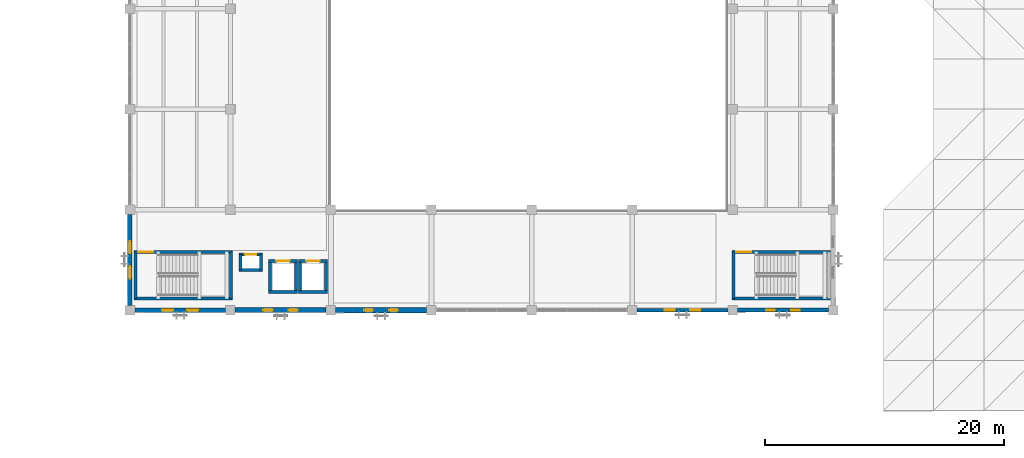
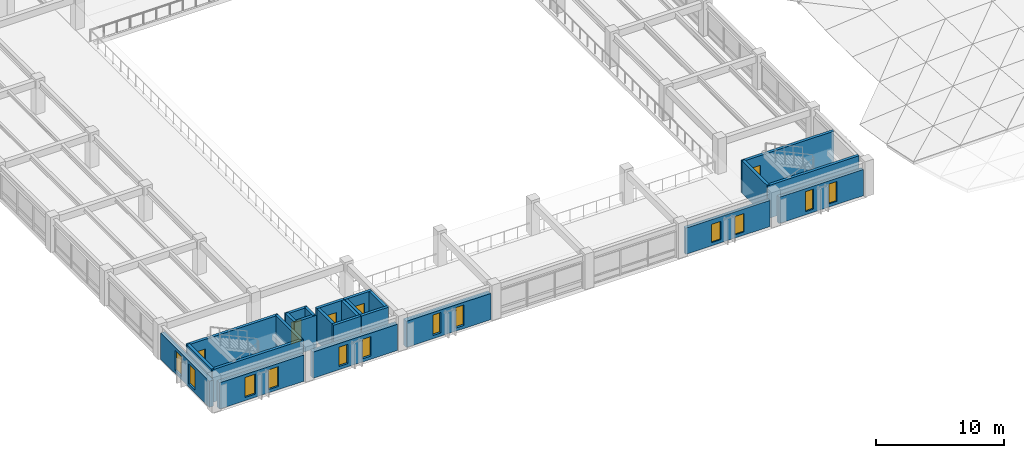
# One storey, part 81 of 123: 25 walls, 12 windows, 5 doors, 17 openings.
"""IFC4 building model written with IfcOpenShell, lengths in metres."""

from ifc_helpers import new_model, si_unit, direction, frame, frame_2d, origin, place, context, subcontext, project, spatial, rectangle, extrude, material, layer, layer_set, type_object, element, fill, save


model = new_model("IFC4")

# Units and contexts
model_context = context("Model", 3, precision=1e-05, world=origin(), true_north=direction((0.0, 1.0)))
body_context = subcontext(model_context, "Body", "Model", "MODEL_VIEW")
ifc_project = project(units=[si_unit("LENGTHUNIT", "METRE"), si_unit("AREAUNIT", "SQUARE_METRE"), si_unit("VOLUMEUNIT", "CUBIC_METRE"), si_unit("PLANEANGLEUNIT", "RADIAN"), si_unit("MASSUNIT", "GRAM", prefix="KILO")], contexts=[model_context])

# Site, building, storey
site_placement = place(None, origin())
site = spatial("IfcSite", under=ifc_project, at=site_placement, CompositionType="ELEMENT")
building_placement = place(site_placement, origin())
building = spatial("IfcBuilding", under=site, at=building_placement, Name="Cumbredor Promenade Congress Hotel", CompositionType="ELEMENT")
storey_placement = place(building_placement, frame((0.0, 0.0, 11.760009765625)))
storey = spatial("IfcBuildingStorey", under=building, at=storey_placement, Name="L03", CompositionType="ELEMENT", Elevation=11.760009765625)

# Wall, openings, windows
ifc_material_1 = material(Name="Concrete C40/50", Category="concrete")
ifc_layer_1 = layer(ifc_material_1, 0.300048828125, Name="Concrete C40/50", Category="concrete")
ifc_layer_set_1 = layer_set([ifc_layer_1], Name="Concrete C40/50")
wall_type_1 = type_object("IfcWallType", Name="WL-EXT-300", PredefinedType="SOLIDWALL", material=ifc_layer_set_1)
wall_1_placement = place(storey_placement, frame((50.801025390625, 8.39990234375, 0.0), z_axis=(0.0, 0.0, 1.0), x_axis=(1.0, 0.0, 0.0)))
wall_1 = element("IfcWall", 1, at=wall_1_placement, inside=storey, type_object=wall_type_1, Name="L03 Plenary Congress Hall South Envelope Wall 6", PredefinedType="SOLIDWALL", context=body_context, shape_type="SweptSolid", body=[
    extrude(rectangle(XDim=7.597900390625, YDim=0.300048828125, at=frame_2d((3.798828125, 0.0))), origin(), (0.0, 0.0, 1.0), 2.493896484375),
])
opening_1_placement = place(wall_1_placement, frame((2.3291015625, 0.0, 0.300048828125)))
opening_1 = element("IfcOpeningElement", 2, at=opening_1_placement, cuts=wall_1, Name="Opening WN-62", PredefinedType="OPENING", context=body_context, shape_type="SweptSolid", body=[
    extrude(rectangle(XDim=0.840087890625, YDim=1.75, at=frame_2d((0.419921875, 0.875))), frame((0.0, 0.16015625, 0.0), z_axis=(0.0, -1.0, 0.0), x_axis=(1.0, 0.0, 0.0)), (0.0, 0.0, 1.0), 0.320068359375),
])
opening_2_placement = place(wall_1_placement, frame((4.428955078125, 0.0, 0.300048828125)))
opening_2 = element("IfcOpeningElement", 3, at=opening_2_placement, cuts=wall_1, Name="Opening WN-62", PredefinedType="OPENING", context=body_context, shape_type="SweptSolid", body=[
    extrude(rectangle(XDim=0.840087890625, YDim=1.75, at=frame_2d((0.419921875, 0.875))), frame((0.0, 0.16015625, 0.0), z_axis=(0.0, -1.0, 0.0), x_axis=(1.0, 0.0, 0.0)), (0.0, 0.0, 1.0), 0.320068359375),
])
ifc_material_2 = material(Name="Thermally broken anodized aluminium and low-E glass", Category="aluminium")
window_type_1 = type_object("IfcWindowType", Name="Vertical Slot Window WN-62 840x1750", PartitioningType="SINGLE_PANEL", PredefinedType="WINDOW", material=ifc_material_2)
window_1_placement = place(opening_1_placement, origin())
window_1 = element("IfcWindow", 4, at=window_1_placement, inside=storey, type_object=window_type_1, Name="L03 Vertical Slot Window 0342", OverallHeight=1.75, OverallWidth=0.840087890625, PartitioningType="SINGLE_PANEL", PredefinedType="WINDOW", context=body_context, shape_type="SweptSolid", body=[
    extrude(rectangle(XDim=0.840087890625, YDim=1.75, at=frame_2d((0.419921875, 0.875))), frame((0.0, 0.030029296875, 0.0), z_axis=(0.0, -1.0, 0.0), x_axis=(1.0, 0.0, 0.0)), (0.0, 0.0, 1.0), 0.06005859375),
])
fill(opening_1, window_1)
window_2_placement = place(opening_2_placement, origin())
window_2 = element("IfcWindow", 5, at=window_2_placement, inside=storey, type_object=window_type_1, Name="L03 Vertical Slot Window 0343", OverallHeight=1.75, OverallWidth=0.840087890625, PartitioningType="SINGLE_PANEL", PredefinedType="WINDOW", context=body_context, shape_type="SweptSolid", body=[
    extrude(rectangle(XDim=0.840087890625, YDim=1.75, at=frame_2d((0.419921875, 0.875))), frame((0.0, 0.030029296875, 0.0), z_axis=(0.0, -1.0, 0.0), x_axis=(1.0, 0.0, 0.0)), (0.0, 0.0, 1.0), 0.06005859375),
])
fill(opening_2, window_2)

ifc_layer_2 = layer(ifc_material_1, 0.324951171875, Name="Concrete C40/50", Category="concrete")
ifc_layer_set_2 = layer_set([ifc_layer_2], Name="Concrete C40/50")
wall_type_2 = type_object("IfcWallType", Name="WL-EXT-325", PredefinedType="SOLIDWALL", material=ifc_layer_set_2)
wall_2_placement = place(storey_placement, frame((59.200927734375, 8.39990234375, 0.0), z_axis=(0.0, 0.0, 1.0), x_axis=(1.0, 0.0, 0.0)))
wall_2 = element("IfcWall", 6, at=wall_2_placement, inside=storey, type_object=wall_type_2, Name="L03 Plenary Congress Hall South Envelope Wall 7", PredefinedType="SOLIDWALL", context=body_context, shape_type="SweptSolid", body=[
    extrude(rectangle(XDim=7.59814453125, YDim=0.324951171875, at=frame_2d((3.799072265625, 0.0))), origin(), (0.0, 0.0, 1.0), 2.493896484375),
])
opening_3_placement = place(wall_2_placement, frame((2.39892578125, 0.0, 0.300048828125)))
opening_3 = element("IfcOpeningElement", 7, at=opening_3_placement, cuts=wall_2, Name="Opening WN-65", PredefinedType="OPENING", context=body_context, shape_type="SweptSolid", body=[
    extrude(rectangle(XDim=0.699951171875, YDim=1.89990234375, at=frame_2d((0.35009765625, 0.949951171875))), frame((0.0, 0.17236328125, 0.0), z_axis=(0.0, -1.0, 0.0), x_axis=(1.0, 0.0, 0.0)), (0.0, 0.0, 1.0), 0.344970703125),
])
opening_4_placement = place(wall_2_placement, frame((4.4990234375, 0.0, 0.300048828125)))
opening_4 = element("IfcOpeningElement", 8, at=opening_4_placement, cuts=wall_2, Name="Opening WN-65", PredefinedType="OPENING", context=body_context, shape_type="SweptSolid", body=[
    extrude(rectangle(XDim=0.699951171875, YDim=1.89990234375, at=frame_2d((0.35009765625, 0.949951171875))), frame((0.0, 0.17236328125, 0.0), z_axis=(0.0, -1.0, 0.0), x_axis=(1.0, 0.0, 0.0)), (0.0, 0.0, 1.0), 0.344970703125),
])
window_type_2 = type_object("IfcWindowType", Name="Vertical Slot Window WN-65 700x1900", PartitioningType="SINGLE_PANEL", PredefinedType="WINDOW", material=ifc_material_2)
window_3_placement = place(opening_3_placement, origin())
window_3 = element("IfcWindow", 9, at=window_3_placement, inside=storey, type_object=window_type_2, Name="L03 Vertical Slot Window 0344", OverallHeight=1.89990234375, OverallWidth=0.699951171875, PartitioningType="SINGLE_PANEL", PredefinedType="WINDOW", context=body_context, shape_type="SweptSolid", body=[
    extrude(rectangle(XDim=0.699951171875, YDim=1.89990234375, at=frame_2d((0.35009765625, 0.949951171875))), frame((0.0, 0.030029296875, 0.0), z_axis=(0.0, -1.0, 0.0), x_axis=(1.0, 0.0, 0.0)), (0.0, 0.0, 1.0), 0.06005859375),
])
fill(opening_3, window_3)
window_4_placement = place(opening_4_placement, origin())
window_4 = element("IfcWindow", 10, at=window_4_placement, inside=storey, type_object=window_type_2, Name="L03 Vertical Slot Window 0345", OverallHeight=1.89990234375, OverallWidth=0.699951171875, PartitioningType="SINGLE_PANEL", PredefinedType="WINDOW", context=body_context, shape_type="SweptSolid", body=[
    extrude(rectangle(XDim=0.699951171875, YDim=1.89990234375, at=frame_2d((0.35009765625, 0.949951171875))), frame((0.0, 0.030029296875, 0.0), z_axis=(0.0, -1.0, 0.0), x_axis=(1.0, 0.0, 0.0)), (0.0, 0.0, 1.0), 0.06005859375),
])
fill(opening_4, window_4)

ifc_layer_3 = layer(ifc_material_1, 0.3798828125, Name="Concrete C40/50", Category="concrete")
ifc_layer_set_3 = layer_set([ifc_layer_3], Name="Concrete C40/50")
wall_type_3 = type_object("IfcWallType", Name="WL-EXT-380", PredefinedType="SOLIDWALL", material=ifc_layer_set_3)
wall_3_placement = place(storey_placement, frame((8.801025390625, 8.39990234375, 0.0), z_axis=(0.0, 0.0, 1.0), x_axis=(1.0, 0.0, 0.0)))
wall_3 = element("IfcWall", 11, at=wall_3_placement, inside=storey, type_object=wall_type_3, Name="L03 Plenary Congress Hall South Envelope Wall 1", PredefinedType="SOLIDWALL", context=body_context, shape_type="SweptSolid", body=[
    extrude(rectangle(XDim=7.597900390625, YDim=0.3798828125, at=frame_2d((3.798828125, 0.0))), origin(), (0.0, 0.0, 1.0), 2.493896484375),
])
opening_5_placement = place(wall_3_placement, frame((2.283935546875, 0.0, 0.300048828125)))
opening_5 = element("IfcOpeningElement", 12, at=opening_5_placement, cuts=wall_3, Name="Opening WN-68", PredefinedType="OPENING", context=body_context, shape_type="SweptSolid", body=[
    extrude(rectangle(XDim=0.929931640625, YDim=1.89990234375, at=frame_2d((0.46484375, 0.949951171875))), frame((0.0, 0.199951171875, 0.0), z_axis=(0.0, -1.0, 0.0), x_axis=(1.0, 0.0, 0.0)), (0.0, 0.0, 1.0), 0.39990234375),
])
opening_6_placement = place(wall_3_placement, frame((4.384033203125, 0.0, 0.300048828125)))
opening_6 = element("IfcOpeningElement", 13, at=opening_6_placement, cuts=wall_3, Name="Opening WN-68", PredefinedType="OPENING", context=body_context, shape_type="SweptSolid", body=[
    extrude(rectangle(XDim=0.929931640625, YDim=1.89990234375, at=frame_2d((0.46484375, 0.949951171875))), frame((0.0, 0.199951171875, 0.0), z_axis=(0.0, -1.0, 0.0), x_axis=(1.0, 0.0, 0.0)), (0.0, 0.0, 1.0), 0.39990234375),
])
window_type_3 = type_object("IfcWindowType", Name="Vertical Slot Window WN-68 930x1900", PartitioningType="SINGLE_PANEL", PredefinedType="WINDOW", material=ifc_material_2)
window_5_placement = place(opening_5_placement, origin())
window_5 = element("IfcWindow", 14, at=window_5_placement, inside=storey, type_object=window_type_3, Name="L03 Vertical Slot Window 0336", OverallHeight=1.89990234375, OverallWidth=0.929931640625, PartitioningType="SINGLE_PANEL", PredefinedType="WINDOW", context=body_context, shape_type="SweptSolid", body=[
    extrude(rectangle(XDim=0.929931640625, YDim=1.89990234375, at=frame_2d((0.46484375, 0.949951171875))), frame((0.0, 0.030029296875, 0.0), z_axis=(0.0, -1.0, 0.0), x_axis=(1.0, 0.0, 0.0)), (0.0, 0.0, 1.0), 0.06005859375),
])
fill(opening_5, window_5)
window_6_placement = place(opening_6_placement, origin())
window_6 = element("IfcWindow", 15, at=window_6_placement, inside=storey, type_object=window_type_3, Name="L03 Vertical Slot Window 0337", OverallHeight=1.89990234375, OverallWidth=0.929931640625, PartitioningType="SINGLE_PANEL", PredefinedType="WINDOW", context=body_context, shape_type="SweptSolid", body=[
    extrude(rectangle(XDim=0.929931640625, YDim=1.89990234375, at=frame_2d((0.46484375, 0.949951171875))), frame((0.0, 0.030029296875, 0.0), z_axis=(0.0, -1.0, 0.0), x_axis=(1.0, 0.0, 0.0)), (0.0, 0.0, 1.0), 0.06005859375),
])
fill(opening_6, window_6)

wall_4_placement = place(storey_placement, frame((8.39990234375, 8.801025390625, 0.0), z_axis=(0.0, 0.0, 1.0), x_axis=(0.0, 1.0, 0.0)))
wall_4 = element("IfcWall", 16, at=wall_4_placement, inside=storey, type_object=wall_type_3, Name="L03 Plenary Congress Hall West Envelope Wall 1", PredefinedType="SOLIDWALL", context=body_context, shape_type="SweptSolid", body=[
    extrude(rectangle(XDim=7.597900390625, YDim=0.3798828125, at=frame_2d((3.798828125, 0.0))), origin(), (0.0, 0.0, 1.0), 2.493896484375),
])
opening_7_placement = place(wall_4_placement, frame((2.239013671875, 0.0, 0.300048828125)))
opening_7 = element("IfcOpeningElement", 17, at=opening_7_placement, cuts=wall_4, Name="Opening WN-69", PredefinedType="OPENING", context=body_context, shape_type="SweptSolid", body=[
    extrude(rectangle(XDim=1.02001953125, YDim=1.89990234375, at=frame_2d((0.510009765625, 0.949951171875))), frame((0.0, 0.199951171875, 0.0), z_axis=(0.0, -1.0, 0.0), x_axis=(1.0, 0.0, 0.0)), (0.0, 0.0, 1.0), 0.39990234375),
])
opening_8_placement = place(wall_4_placement, frame((4.339111328125, 0.0, 0.300048828125)))
opening_8 = element("IfcOpeningElement", 18, at=opening_8_placement, cuts=wall_4, Name="Opening WN-69", PredefinedType="OPENING", context=body_context, shape_type="SweptSolid", body=[
    extrude(rectangle(XDim=1.02001953125, YDim=1.89990234375, at=frame_2d((0.510009765625, 0.949951171875))), frame((0.0, 0.199951171875, 0.0), z_axis=(0.0, -1.0, 0.0), x_axis=(1.0, 0.0, 0.0)), (0.0, 0.0, 1.0), 0.39990234375),
])
window_type_4 = type_object("IfcWindowType", Name="Vertical Slot Window WN-69 1020x1900", PartitioningType="SINGLE_PANEL", PredefinedType="WINDOW", material=ifc_material_2)
window_7_placement = place(opening_7_placement, origin())
window_7 = element("IfcWindow", 19, at=window_7_placement, inside=storey, type_object=window_type_4, Name="L03 Vertical Slot Window 0354", OverallHeight=1.89990234375, OverallWidth=1.02001953125, PartitioningType="SINGLE_PANEL", PredefinedType="WINDOW", context=body_context, shape_type="SweptSolid", body=[
    extrude(rectangle(XDim=1.02001953125, YDim=1.89990234375, at=frame_2d((0.510009765625, 0.949951171875))), frame((0.0, 0.030029296875, 0.0), z_axis=(0.0, -1.0, 0.0), x_axis=(1.0, 0.0, 0.0)), (0.0, 0.0, 1.0), 0.06005859375),
])
fill(opening_7, window_7)
window_8_placement = place(opening_8_placement, origin())
window_8 = element("IfcWindow", 20, at=window_8_placement, inside=storey, type_object=window_type_4, Name="L03 Vertical Slot Window 0355", OverallHeight=1.89990234375, OverallWidth=1.02001953125, PartitioningType="SINGLE_PANEL", PredefinedType="WINDOW", context=body_context, shape_type="SweptSolid", body=[
    extrude(rectangle(XDim=1.02001953125, YDim=1.89990234375, at=frame_2d((0.510009765625, 0.949951171875))), frame((0.0, 0.030029296875, 0.0), z_axis=(0.0, -1.0, 0.0), x_axis=(1.0, 0.0, 0.0)), (0.0, 0.0, 1.0), 0.06005859375),
])
fill(opening_8, window_8)

ifc_layer_4 = layer(ifc_material_1, 0.425048828125, Name="Concrete C40/50", Category="concrete")
ifc_layer_set_4 = layer_set([ifc_layer_4], Name="Concrete C40/50")
wall_type_4 = type_object("IfcWallType", Name="WL-EXT-425", PredefinedType="SOLIDWALL", material=ifc_layer_set_4)
wall_5_placement = place(storey_placement, frame((17.200927734375, 8.39990234375, 0.0), z_axis=(0.0, 0.0, 1.0), x_axis=(1.0, 0.0, 0.0)))
wall_5 = element("IfcWall", 21, at=wall_5_placement, inside=storey, type_object=wall_type_4, Name="L03 Plenary Congress Hall South Envelope Wall 2", PredefinedType="SOLIDWALL", context=body_context, shape_type="SweptSolid", body=[
    extrude(rectangle(XDim=7.59814453125, YDim=0.425048828125, at=frame_2d((3.799072265625, 0.0))), origin(), (0.0, 0.0, 1.0), 2.493896484375),
])
opening_9_placement = place(wall_5_placement, frame((2.35888671875, 0.0, 0.300048828125)))
opening_9 = element("IfcOpeningElement", 22, at=opening_9_placement, cuts=wall_5, Name="Opening WN-46", PredefinedType="OPENING", context=body_context, shape_type="SweptSolid", body=[
    extrude(rectangle(XDim=0.780029296875, YDim=1.85009765625, at=frame_2d((0.39013671875, 0.925048828125))), frame((0.0, 0.22265625, 0.0), z_axis=(0.0, -1.0, 0.0), x_axis=(1.0, 0.0, 0.0)), (0.0, 0.0, 1.0), 0.445068359375),
])
opening_10_placement = place(wall_5_placement, frame((4.458984375, 0.0, 0.300048828125)))
opening_10 = element("IfcOpeningElement", 23, at=opening_10_placement, cuts=wall_5, Name="Opening WN-46", PredefinedType="OPENING", context=body_context, shape_type="SweptSolid", body=[
    extrude(rectangle(XDim=0.780029296875, YDim=1.85009765625, at=frame_2d((0.39013671875, 0.925048828125))), frame((0.0, 0.22265625, 0.0), z_axis=(0.0, -1.0, 0.0), x_axis=(1.0, 0.0, 0.0)), (0.0, 0.0, 1.0), 0.445068359375),
])
window_type_5 = type_object("IfcWindowType", Name="Vertical Slot Window WN-46 780x1850", PartitioningType="SINGLE_PANEL", PredefinedType="WINDOW", material=ifc_material_2)
window_9_placement = place(opening_9_placement, origin())
window_9 = element("IfcWindow", 24, at=window_9_placement, inside=storey, type_object=window_type_5, Name="L03 Vertical Slot Window 0338", OverallHeight=1.85009765625, OverallWidth=0.780029296875, PartitioningType="SINGLE_PANEL", PredefinedType="WINDOW", context=body_context, shape_type="SweptSolid", body=[
    extrude(rectangle(XDim=0.780029296875, YDim=1.85009765625, at=frame_2d((0.39013671875, 0.925048828125))), frame((0.0, 0.030029296875, 0.0), z_axis=(0.0, -1.0, 0.0), x_axis=(1.0, 0.0, 0.0)), (0.0, 0.0, 1.0), 0.06005859375),
])
fill(opening_9, window_9)
window_10_placement = place(opening_10_placement, origin())
window_10 = element("IfcWindow", 25, at=window_10_placement, inside=storey, type_object=window_type_5, Name="L03 Vertical Slot Window 0339", OverallHeight=1.85009765625, OverallWidth=0.780029296875, PartitioningType="SINGLE_PANEL", PredefinedType="WINDOW", context=body_context, shape_type="SweptSolid", body=[
    extrude(rectangle(XDim=0.780029296875, YDim=1.85009765625, at=frame_2d((0.39013671875, 0.925048828125))), frame((0.0, 0.030029296875, 0.0), z_axis=(0.0, -1.0, 0.0), x_axis=(1.0, 0.0, 0.0)), (0.0, 0.0, 1.0), 0.06005859375),
])
fill(opening_10, window_10)

ifc_layer_5 = layer(ifc_material_1, 0.449951171875, Name="Concrete C40/50", Category="concrete")
ifc_layer_set_5 = layer_set([ifc_layer_5], Name="Concrete C40/50")
wall_type_5 = type_object("IfcWallType", Name="WL-EXT-450", PredefinedType="SOLIDWALL", material=ifc_layer_set_5)
wall_6_placement = place(storey_placement, frame((25.60107421875, 8.39990234375, 0.0), z_axis=(0.0, 0.0, 1.0), x_axis=(1.0, 0.0, 0.0)))
wall_6 = element("IfcWall", 26, at=wall_6_placement, inside=storey, type_object=wall_type_5, Name="L03 Plenary Congress Hall South Envelope Wall 3", PredefinedType="SOLIDWALL", context=body_context, shape_type="SweptSolid", body=[
    extrude(rectangle(XDim=7.597900390625, YDim=0.449951171875, at=frame_2d((3.798828125, 0.0))), origin(), (0.0, 0.0, 1.0), 2.493896484375),
])
opening_11_placement = place(wall_6_placement, frame((2.388916015625, 0.0, 0.300048828125)))
opening_11 = element("IfcOpeningElement", 27, at=opening_11_placement, cuts=wall_6, Name="Opening WN-49", PredefinedType="OPENING", context=body_context, shape_type="SweptSolid", body=[
    extrude(rectangle(XDim=0.719970703125, YDim=1.949951171875, at=frame_2d((0.35986328125, 0.97509765625))), frame((0.0, 0.23486328125, 0.0), z_axis=(0.0, -1.0, 0.0), x_axis=(1.0, 0.0, 0.0)), (0.0, 0.0, 1.0), 0.469970703125),
])
opening_12_placement = place(wall_6_placement, frame((4.489013671875, 0.0, 0.300048828125)))
opening_12 = element("IfcOpeningElement", 28, at=opening_12_placement, cuts=wall_6, Name="Opening WN-49", PredefinedType="OPENING", context=body_context, shape_type="SweptSolid", body=[
    extrude(rectangle(XDim=0.719970703125, YDim=1.949951171875, at=frame_2d((0.35986328125, 0.97509765625))), frame((0.0, 0.23486328125, 0.0), z_axis=(0.0, -1.0, 0.0), x_axis=(1.0, 0.0, 0.0)), (0.0, 0.0, 1.0), 0.469970703125),
])
window_type_6 = type_object("IfcWindowType", Name="Vertical Slot Window WN-49 720x1950", PartitioningType="SINGLE_PANEL", PredefinedType="WINDOW", material=ifc_material_2)
window_11_placement = place(opening_11_placement, origin())
window_11 = element("IfcWindow", 29, at=window_11_placement, inside=storey, type_object=window_type_6, Name="L03 Vertical Slot Window 0340", OverallHeight=1.949951171875, OverallWidth=0.719970703125, PartitioningType="SINGLE_PANEL", PredefinedType="WINDOW", context=body_context, shape_type="SweptSolid", body=[
    extrude(rectangle(XDim=0.719970703125, YDim=1.949951171875, at=frame_2d((0.35986328125, 0.97509765625))), frame((0.0, 0.030029296875, 0.0), z_axis=(0.0, -1.0, 0.0), x_axis=(1.0, 0.0, 0.0)), (0.0, 0.0, 1.0), 0.06005859375),
])
fill(opening_11, window_11)
window_12_placement = place(opening_12_placement, origin())
window_12 = element("IfcWindow", 30, at=window_12_placement, inside=storey, type_object=window_type_6, Name="L03 Vertical Slot Window 0341", OverallHeight=1.949951171875, OverallWidth=0.719970703125, PartitioningType="SINGLE_PANEL", PredefinedType="WINDOW", context=body_context, shape_type="SweptSolid", body=[
    extrude(rectangle(XDim=0.719970703125, YDim=1.949951171875, at=frame_2d((0.35986328125, 0.97509765625))), frame((0.0, 0.030029296875, 0.0), z_axis=(0.0, -1.0, 0.0), x_axis=(1.0, 0.0, 0.0)), (0.0, 0.0, 1.0), 0.06005859375),
])
fill(opening_12, window_12)

# Wall
ifc_layer_6 = layer(ifc_material_1, 0.2548828125, Name="Concrete C40/50", Category="concrete")
ifc_layer_set_6 = layer_set([ifc_layer_6], Name="Concrete C40/50")
wall_type_6 = type_object("IfcWallType", Name="WL-SHAFT-250", PredefinedType="SOLIDWALL", material=ifc_layer_set_6)
wall_7_placement = place(storey_placement, frame((8.75244140625, 9.3798828125, 0.0), z_axis=(0.0, 0.0, 1.0), x_axis=(1.0, 0.0, 0.0)))
element("IfcWall", 31, at=wall_7_placement, inside=storey, type_object=wall_type_6, Name="STAIR-ST-04-L03 Shaft Wall South", PredefinedType="SOLIDWALL", context=body_context, shape_type="SweptSolid", body=[
    extrude(rectangle(XDim=8.22509765625, YDim=0.2548828125, at=frame_2d((4.112548828125, 0.0))), origin(), (0.0, 0.0, 1.0), 3.119873046875),
])

# Wall, opening, door
wall_8_placement = place(storey_placement, frame((8.75244140625, 13.25, 0.0), z_axis=(0.0, 0.0, 1.0), x_axis=(1.0, 0.0, 0.0)))
wall_8 = element("IfcWall", 32, at=wall_8_placement, inside=storey, type_object=wall_type_6, Name="STAIR-ST-04-L03 Shaft Wall North", PredefinedType="SOLIDWALL", context=body_context, shape_type="SweptSolid", body=[
    extrude(rectangle(XDim=8.22509765625, YDim=0.2548828125, at=frame_2d((4.112548828125, 0.0))), origin(), (0.0, 0.0, 1.0), 3.119873046875),
])
opening_13_placement = place(wall_8_placement, frame((0.35009765625, 0.0, 0.0)))
opening_13 = element("IfcOpeningElement", 33, at=opening_13_placement, cuts=wall_8, Name="Opening SD-02", PredefinedType="OPENING", context=body_context, shape_type="SweptSolid", body=[
    extrude(rectangle(XDim=1.25, YDim=2.199951171875, at=frame_2d((0.625, 1.10009765625))), frame((0.0, 0.137451171875, 0.0), z_axis=(0.0, -1.0, 0.0), x_axis=(1.0, 0.0, 0.0)), (0.0, 0.0, 1.0), 0.27490234375),
])
ifc_material_3 = material(Name="Painted galvanized steel fire door", Category="steel")
door_type_1 = type_object("IfcDoorType", Name="DR-STAIR-FD90-1250", OperationType="NOTDEFINED", PredefinedType="DOOR", material=ifc_material_3)
door_1_placement = place(opening_13_placement, origin())
door_1 = element("IfcDoor", 34, at=door_1_placement, inside=storey, type_object=door_type_1, Name="L03 Protected Exit Stair ST-04 Door", OperationType="SINGLE_SWING_RIGHT", OverallHeight=2.199951171875, OverallWidth=1.25, PredefinedType="DOOR", context=body_context, shape_type="SweptSolid", body=[
    extrude(rectangle(XDim=1.25, YDim=2.199951171875, at=frame_2d((0.625, 1.10009765625))), frame((0.0, 0.02490234375, 0.0), z_axis=(0.0, -1.0, 0.0), x_axis=(1.0, 0.0, 0.0)), (0.0, 0.0, 1.0), 0.050048828125),
])
fill(opening_13, door_1)

# Walls
for number, where, z_axis, x_axis, name in (
    (35, (8.8798828125, 9.3798828125, 0.0), (0.0, 0.0, 1.0), (0.0, 1.0, 0.0), "STAIR-ST-04-L03 Shaft Wall West"),
    (36, (16.85009765625, 9.3798828125, 0.0), (0.0, 0.0, 1.0), (0.0, 1.0, 0.0), "STAIR-ST-04-L03 Shaft Wall East"),
):
    element("IfcWall", number, at=place(storey_placement, frame(where, z_axis=z_axis, x_axis=x_axis)), inside=storey, type_object=wall_type_6, Name=name, PredefinedType="SOLIDWALL", context=body_context, shape_type="SweptSolid", body=[
        extrude(rectangle(XDim=3.8701171875, YDim=0.2548828125, at=frame_2d((1.93505859375, 0.0))), origin(), (0.0, 0.0, 1.0), 3.119873046875),
    ])
wall_9_placement = place(storey_placement, frame((58.75244140625, 9.3798828125, 0.0), z_axis=(0.0, 0.0, 1.0), x_axis=(1.0, 0.0, 0.0)))
element("IfcWall", 37, at=wall_9_placement, inside=storey, type_object=wall_type_6, Name="STAIR-ST-05-L03 Shaft Wall South", PredefinedType="SOLIDWALL", context=body_context, shape_type="SweptSolid", body=[
    extrude(rectangle(XDim=8.22509765625, YDim=0.2548828125, at=frame_2d((4.112548828125, 0.0))), origin(), (0.0, 0.0, 1.0), 3.119873046875),
])

# Wall, opening, door
wall_10_placement = place(storey_placement, frame((58.75244140625, 13.25, 0.0), z_axis=(0.0, 0.0, 1.0), x_axis=(1.0, 0.0, 0.0)))
wall_10 = element("IfcWall", 38, at=wall_10_placement, inside=storey, type_object=wall_type_6, Name="STAIR-ST-05-L03 Shaft Wall North", PredefinedType="SOLIDWALL", context=body_context, shape_type="SweptSolid", body=[
    extrude(rectangle(XDim=8.22509765625, YDim=0.2548828125, at=frame_2d((4.112548828125, 0.0))), origin(), (0.0, 0.0, 1.0), 3.119873046875),
])
opening_14_placement = place(wall_10_placement, frame((0.35009765625, 0.0, 0.0)))
opening_14 = element("IfcOpeningElement", 39, at=opening_14_placement, cuts=wall_10, Name="Opening SD-02", PredefinedType="OPENING", context=body_context, shape_type="SweptSolid", body=[
    extrude(rectangle(XDim=1.25, YDim=2.199951171875, at=frame_2d((0.625, 1.10009765625))), frame((0.0, 0.137451171875, 0.0), z_axis=(0.0, -1.0, 0.0), x_axis=(1.0, 0.0, 0.0)), (0.0, 0.0, 1.0), 0.27490234375),
])
door_2_placement = place(opening_14_placement, origin())
door_2 = element("IfcDoor", 40, at=door_2_placement, inside=storey, type_object=door_type_1, Name="L03 Protected Exit Stair ST-05 Door", OperationType="SINGLE_SWING_RIGHT", OverallHeight=2.199951171875, OverallWidth=1.25, PredefinedType="DOOR", context=body_context, shape_type="SweptSolid", body=[
    extrude(rectangle(XDim=1.25, YDim=2.199951171875, at=frame_2d((0.625, 1.10009765625))), frame((0.0, 0.02490234375, 0.0), z_axis=(0.0, -1.0, 0.0), x_axis=(1.0, 0.0, 0.0)), (0.0, 0.0, 1.0), 0.050048828125),
])
fill(opening_14, door_2)

# Walls
wall_11_placement = place(storey_placement, frame((58.8798828125, 9.3798828125, 0.0), z_axis=(0.0, 0.0, 1.0), x_axis=(0.0, 1.0, 0.0)))
element("IfcWall", 41, at=wall_11_placement, inside=storey, type_object=wall_type_6, Name="STAIR-ST-05-L03 Shaft Wall West", PredefinedType="SOLIDWALL", context=body_context, shape_type="SweptSolid", body=[
    extrude(rectangle(XDim=3.8701171875, YDim=0.2548828125, at=frame_2d((1.93505859375, 0.0))), origin(), (0.0, 0.0, 1.0), 3.119873046875),
])
wall_12_placement = place(storey_placement, frame((19.972412109375, 9.89990234375, 0.0), z_axis=(0.0, 0.0, 1.0), x_axis=(1.0, 0.0, 0.0)))
element("IfcWall", 42, at=wall_12_placement, inside=storey, type_object=wall_type_6, Name="SHAFT-PL-05-L03 Shaft Wall South", PredefinedType="SOLIDWALL", context=body_context, shape_type="SweptSolid", body=[
    extrude(rectangle(XDim=2.455078125, YDim=0.2548828125, at=frame_2d((1.2275390625, 0.0))), origin(), (0.0, 0.0, 1.0), 3.119873046875),
])

# Wall, opening, door
wall_13_placement = place(storey_placement, frame((19.972412109375, 12.5, 0.0), z_axis=(0.0, 0.0, 1.0), x_axis=(1.0, 0.0, 0.0)))
wall_13 = element("IfcWall", 43, at=wall_13_placement, inside=storey, type_object=wall_type_6, Name="SHAFT-PL-05-L03 Shaft Wall North", PredefinedType="SOLIDWALL", context=body_context, shape_type="SweptSolid", body=[
    extrude(rectangle(XDim=2.455078125, YDim=0.2548828125, at=frame_2d((1.2275390625, 0.0))), origin(), (0.0, 0.0, 1.0), 3.119873046875),
])
opening_15_placement = place(wall_13_placement, frame((0.677490234375, 0.0, 0.0)))
opening_15 = element("IfcOpeningElement", 44, at=opening_15_placement, cuts=wall_13, Name="Opening LD-01", PredefinedType="OPENING", context=body_context, shape_type="SweptSolid", body=[
    extrude(rectangle(XDim=1.10009765625, YDim=2.14990234375, at=frame_2d((0.550048828125, 1.074951171875))), frame((0.0, 0.137451171875, 0.0), z_axis=(0.0, -1.0, 0.0), x_axis=(1.0, 0.0, 0.0)), (0.0, 0.0, 1.0), 0.27490234375),
])
ifc_material_4 = material(Name="Brushed stainless steel", Category="steel")
door_type_2 = type_object("IfcDoorType", Name="Lift Landing Sliding Door LD-01 1100x2150", OperationType="DOUBLE_DOOR_SLIDING", PredefinedType="DOOR", material=ifc_material_4)
door_3_placement = place(opening_15_placement, origin())
door_3 = element("IfcDoor", 45, at=door_3_placement, inside=storey, type_object=door_type_2, Name="L03 Plenary Passenger Lift PL-05 Sliding Landing Door", OperationType="DOUBLE_DOOR_SLIDING", OverallHeight=2.14990234375, OverallWidth=1.10009765625, PredefinedType="DOOR", context=body_context, shape_type="SweptSolid", body=[
    extrude(rectangle(XDim=1.10009765625, YDim=2.14990234375, at=frame_2d((0.550048828125, 1.074951171875))), frame((0.0, 0.02490234375, 0.0), z_axis=(0.0, -1.0, 0.0), x_axis=(1.0, 0.0, 0.0)), (0.0, 0.0, 1.0), 0.050048828125),
])
fill(opening_15, door_3)

# Walls
for number, where, z_axis, x_axis, name in (
    (46, (20.10009765625, 9.89990234375, 0.0), (0.0, 0.0, 1.0), (0.0, 1.0, 0.0), "SHAFT-PL-05-L03 Shaft Wall West"),
    (47, (22.300048828125, 9.89990234375, 0.0), (0.0, 0.0, 1.0), (0.0, 1.0, 0.0), "SHAFT-PL-05-L03 Shaft Wall East"),
):
    element("IfcWall", number, at=place(storey_placement, frame(where, z_axis=z_axis, x_axis=x_axis)), inside=storey, type_object=wall_type_6, Name=name, PredefinedType="SOLIDWALL", context=body_context, shape_type="SweptSolid", body=[
        extrude(rectangle(XDim=2.60009765625, YDim=0.2548828125, at=frame_2d((1.300048828125, 0.0))), origin(), (0.0, 0.0, 1.0), 3.119873046875),
    ])
wall_14_placement = place(storey_placement, frame((22.472412109375, 9.89990234375, 0.0), z_axis=(0.0, 0.0, 1.0), x_axis=(1.0, 0.0, 0.0)))
element("IfcWall", 48, at=wall_14_placement, inside=storey, type_object=wall_type_6, Name="SHAFT-PL-06-L03 Shaft Wall South", PredefinedType="SOLIDWALL", context=body_context, shape_type="SweptSolid", body=[
    extrude(rectangle(XDim=2.455078125, YDim=0.2548828125, at=frame_2d((1.2275390625, 0.0))), origin(), (0.0, 0.0, 1.0), 3.119873046875),
])

# Wall, opening, door
wall_15_placement = place(storey_placement, frame((22.472412109375, 12.5, 0.0), z_axis=(0.0, 0.0, 1.0), x_axis=(1.0, 0.0, 0.0)))
wall_15 = element("IfcWall", 49, at=wall_15_placement, inside=storey, type_object=wall_type_6, Name="SHAFT-PL-06-L03 Shaft Wall North", PredefinedType="SOLIDWALL", context=body_context, shape_type="SweptSolid", body=[
    extrude(rectangle(XDim=2.455078125, YDim=0.2548828125, at=frame_2d((1.2275390625, 0.0))), origin(), (0.0, 0.0, 1.0), 3.119873046875),
])
opening_16_placement = place(wall_15_placement, frame((0.677490234375, 0.0, 0.0)))
opening_16 = element("IfcOpeningElement", 50, at=opening_16_placement, cuts=wall_15, Name="Opening LD-01", PredefinedType="OPENING", context=body_context, shape_type="SweptSolid", body=[
    extrude(rectangle(XDim=1.10009765625, YDim=2.14990234375, at=frame_2d((0.550048828125, 1.074951171875))), frame((0.0, 0.137451171875, 0.0), z_axis=(0.0, -1.0, 0.0), x_axis=(1.0, 0.0, 0.0)), (0.0, 0.0, 1.0), 0.27490234375),
])
door_4_placement = place(opening_16_placement, origin())
door_4 = element("IfcDoor", 51, at=door_4_placement, inside=storey, type_object=door_type_2, Name="L03 Plenary Passenger Lift PL-06 Sliding Landing Door", OperationType="DOUBLE_DOOR_SLIDING", OverallHeight=2.14990234375, OverallWidth=1.10009765625, PredefinedType="DOOR", context=body_context, shape_type="SweptSolid", body=[
    extrude(rectangle(XDim=1.10009765625, YDim=2.14990234375, at=frame_2d((0.550048828125, 1.074951171875))), frame((0.0, 0.02490234375, 0.0), z_axis=(0.0, -1.0, 0.0), x_axis=(1.0, 0.0, 0.0)), (0.0, 0.0, 1.0), 0.050048828125),
])
fill(opening_16, door_4)

# Walls
for number, where, z_axis, x_axis, name in (
    (52, (22.60009765625, 9.89990234375, 0.0), (0.0, 0.0, 1.0), (0.0, 1.0, 0.0), "SHAFT-PL-06-L03 Shaft Wall West"),
    (53, (24.800048828125, 9.89990234375, 0.0), (0.0, 0.0, 1.0), (0.0, 1.0, 0.0), "SHAFT-PL-06-L03 Shaft Wall East"),
):
    element("IfcWall", number, at=place(storey_placement, frame(where, z_axis=z_axis, x_axis=x_axis)), inside=storey, type_object=wall_type_6, Name=name, PredefinedType="SOLIDWALL", context=body_context, shape_type="SweptSolid", body=[
        extrude(rectangle(XDim=2.60009765625, YDim=0.2548828125, at=frame_2d((1.300048828125, 0.0))), origin(), (0.0, 0.0, 1.0), 3.119873046875),
    ])
wall_16_placement = place(storey_placement, frame((17.5224609375, 11.75, 0.0), z_axis=(0.0, 0.0, 1.0), x_axis=(1.0, 0.0, 0.0)))
element("IfcWall", 54, at=wall_16_placement, inside=storey, type_object=wall_type_6, Name="RISER-MEP-R2-L03 Shaft Wall South", PredefinedType="SOLIDWALL", context=body_context, shape_type="SweptSolid", body=[
    extrude(rectangle(XDim=1.955078125, YDim=0.2548828125, at=frame_2d((0.9775390625, 0.0))), origin(), (0.0, 0.0, 1.0), 3.119873046875),
])

# Wall, opening, door
wall_17_placement = place(storey_placement, frame((17.5224609375, 13.050048828125, 0.0), z_axis=(0.0, 0.0, 1.0), x_axis=(1.0, 0.0, 0.0)))
wall_17 = element("IfcWall", 55, at=wall_17_placement, inside=storey, type_object=wall_type_6, Name="RISER-MEP-R2-L03 Shaft Wall North", PredefinedType="SOLIDWALL", context=body_context, shape_type="SweptSolid", body=[
    extrude(rectangle(XDim=1.955078125, YDim=0.2548828125, at=frame_2d((0.9775390625, 0.0))), origin(), (0.0, 0.0, 1.0), 3.119873046875),
])
opening_17_placement = place(wall_17_placement, frame((0.507568359375, 0.0, 0.0)))
opening_17 = element("IfcOpeningElement", 56, at=opening_17_placement, cuts=wall_17, Name="Opening FD-03", PredefinedType="OPENING", context=body_context, shape_type="SweptSolid", body=[
    extrude(rectangle(XDim=0.93994140625, YDim=2.10009765625, at=frame_2d((0.469970703125, 1.050048828125))), frame((0.0, 0.137451171875, 0.0), z_axis=(0.0, -1.0, 0.0), x_axis=(1.0, 0.0, 0.0)), (0.0, 0.0, 1.0), 0.27490234375),
])
door_type_3 = type_object("IfcDoorType", Name="DR-SGL-FD60-950", OperationType="NOTDEFINED", PredefinedType="DOOR", material=ifc_material_3)
door_5_placement = place(opening_17_placement, origin())
door_5 = element("IfcDoor", 57, at=door_5_placement, inside=storey, type_object=door_type_3, Name="L03 Plenary MEP Riser Shaft R2 Access Door", OperationType="SINGLE_SWING_LEFT", OverallHeight=2.10009765625, OverallWidth=0.93994140625, PredefinedType="DOOR", context=body_context, shape_type="SweptSolid", body=[
    extrude(rectangle(XDim=0.93994140625, YDim=2.10009765625, at=frame_2d((0.469970703125, 1.050048828125))), frame((0.0, 0.02490234375, 0.0), z_axis=(0.0, -1.0, 0.0), x_axis=(1.0, 0.0, 0.0)), (0.0, 0.0, 1.0), 0.050048828125),
])
fill(opening_17, door_5)

# Walls
for number, where, z_axis, x_axis, name in (
    (58, (17.64990234375, 11.75, 0.0), (0.0, 0.0, 1.0), (0.0, 1.0, 0.0), "RISER-MEP-R2-L03 Shaft Wall West"),
    (59, (19.35009765625, 11.75, 0.0), (0.0, 0.0, 1.0), (0.0, 1.0, 0.0), "RISER-MEP-R2-L03 Shaft Wall East"),
):
    element("IfcWall", number, at=place(storey_placement, frame(where, z_axis=z_axis, x_axis=x_axis)), inside=storey, type_object=wall_type_6, Name=name, PredefinedType="SOLIDWALL", context=body_context, shape_type="SweptSolid", body=[
        extrude(rectangle(XDim=1.300048828125, YDim=0.2548828125, at=frame_2d((0.64990234375, 0.0))), origin(), (0.0, 0.0, 1.0), 3.119873046875),
    ])

save(model, "model.ifc")
